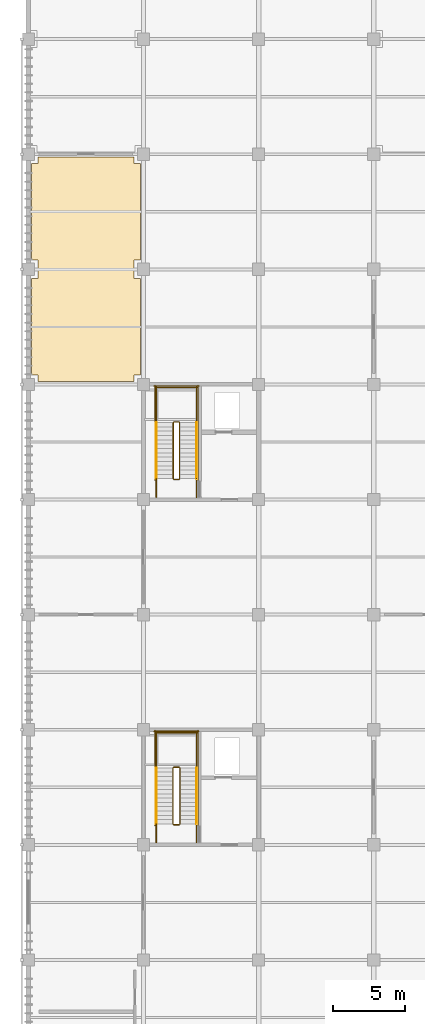
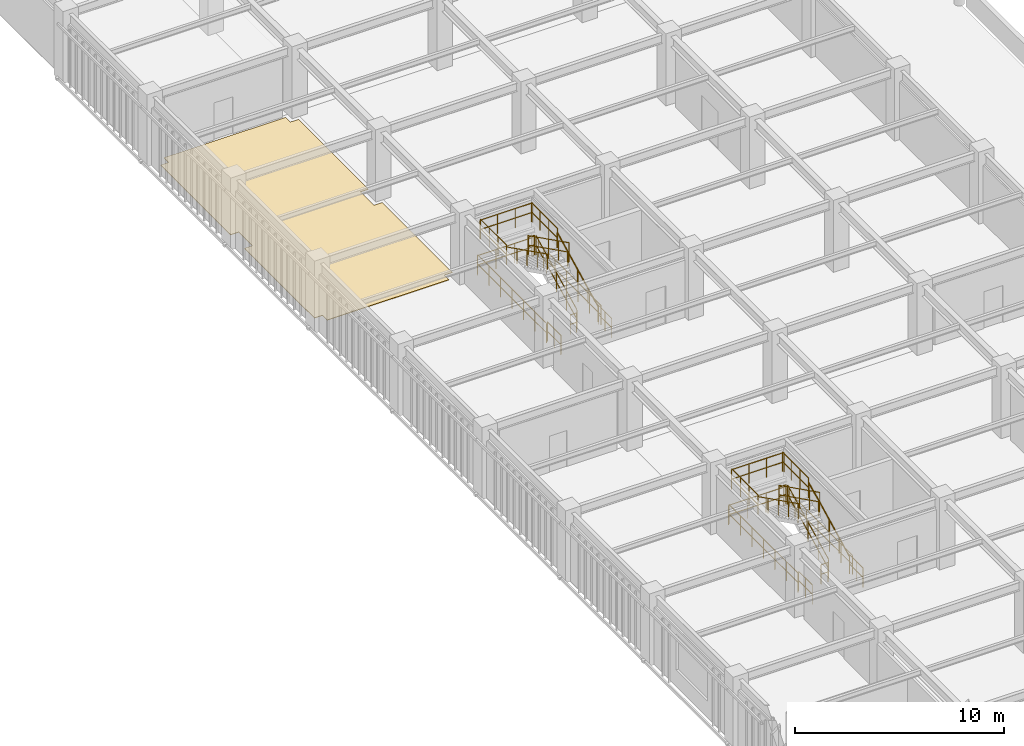
# One storey, part 75 of 78: 28 railings, 1 covering.
"""IFC4 building model written with IfcOpenShell, lengths in metres."""

from ifc_helpers import new_model, si_unit, direction, frame, origin, origin_2d, place, context, subcontext, project, spatial, polyline, circle, outline, extrude, material, layer, layer_set, type_object, element, save


model = new_model("IFC4")

# Units and contexts
model_context = context("Model", 3, precision=1e-05, world=origin(), true_north=direction((0.0, 1.0)))
body_context = subcontext(model_context, "Body", "Model", "MODEL_VIEW")
ifc_project = project(units=[si_unit("LENGTHUNIT", "METRE"), si_unit("AREAUNIT", "SQUARE_METRE"), si_unit("VOLUMEUNIT", "CUBIC_METRE"), si_unit("PLANEANGLEUNIT", "RADIAN"), si_unit("MASSUNIT", "GRAM", prefix="KILO")], contexts=[model_context])

# Site, building, storey
site_placement = place(None, origin())
site = spatial("IfcSite", under=ifc_project, at=site_placement, CompositionType="ELEMENT")
building_placement = place(site_placement, origin())
building = spatial("IfcBuilding", under=site, at=building_placement, Name="Haebicheon Civic Stadium", CompositionType="ELEMENT")
storey_placement = place(building_placement, frame((0.0, 0.0, 18.60009765625)))
storey = spatial("IfcBuildingStorey", under=building, at=storey_placement, Name="L05", CompositionType="ELEMENT", Elevation=18.60009765625)

# Covering
ifc_material_1 = material(Name="Quartz epoxy resin mortar", Category="concrete")
ifc_layer = layer(ifc_material_1, 0.030029296875, Name="Quartz epoxy resin mortar")
ifc_layer_set = layer_set([ifc_layer], Name="Quartz epoxy resin mortar")
covering_type = type_object("IfcCoveringType", Name="COV-FLR-EPX", PredefinedType="FLOORING", material=ifc_layer_set)
covering_placement = place(storey_placement, origin())
element("IfcCovering", 1, at=covering_placement, inside=storey, type_object=covering_type, material=ifc_layer_set, Name="L05 Upper Concourse Refreshment Kiosk non-slip floor finish", PredefinedType="FLOORING", context=body_context, shape_type="SweptSolid", body=[
    extrude(outline(polyline([(24.64990234375, 112.199951171875), (24.64990234375, 112.64990234375), (24.199951171875, 112.64990234375), (24.199951171875, 119.35009765625), (24.64990234375, 119.35009765625), (24.64990234375, 120.64990234375), (24.199951171875, 120.64990234375), (24.199951171875, 127.35009765625), (24.64990234375, 127.35009765625), (24.64990234375, 127.800048828125), (31.35009765625, 127.800048828125), (31.35009765625, 127.35009765625), (31.800048828125, 127.35009765625), (31.800048828125, 120.64990234375), (31.35009765625, 120.64990234375), (31.35009765625, 119.35009765625), (31.800048828125, 119.35009765625), (31.800048828125, 112.64990234375), (31.35009765625, 112.64990234375), (31.35009765625, 112.199951171875), (24.64990234375, 112.199951171875)])), origin(), (0.0, 0.0, 1.0), 0.02978515625),
])

# Railings
ifc_material_2 = material(Name="Galvanised painted steel SM355", Category="steel")
railing_type_1 = type_object("IfcRailingType", Name="RL-GRD-1150", PredefinedType="GUARDRAIL", material=ifc_material_2)
railing_1_placement = place(storey_placement, frame((34.530029296875, 81.449951171875, 0.14990234375)))
element("IfcRailing", 2, at=railing_1_placement, inside=storey, type_object=railing_type_1, material=ifc_material_2, Name="L05 ST-03 stair guard 1", PredefinedType="GUARDRAIL", context=body_context, shape_type="SweptSolid", body=[
    extrude(circle(Radius=0.02392578125, at=origin_2d()), frame((0.0, 0.0, 1.1259765625), z_axis=(0.0, 0.894438388696, 0.447191199406), x_axis=(-1.0, 0.0, 0.0)), (0.0, 0.0, 1.0), 4.3603515625),
    extrude(circle(Radius=0.02392578125, at=origin_2d()), frame((0.0, 0.0, 0.574951171875), z_axis=(0.0, 0.894438388696, 0.447191199406), x_axis=(-1.0, 0.0, 0.0)), (0.0, 0.0, 1.0), 4.3603515625),
    extrude(circle(Radius=0.02099609375, at=origin_2d()), origin(), (0.0, 0.0, 1.0), 1.101806640625),
    extrude(circle(Radius=0.02099609375, at=origin_2d()), frame((0.0, 0.97509765625, 0.487548828125)), (0.0, 0.0, 1.0), 1.101806640625),
    extrude(circle(Radius=0.02099609375, at=origin_2d()), frame((0.0, 1.9501953125, 0.97509765625)), (0.0, 0.0, 1.0), 1.101806640625),
    extrude(circle(Radius=0.02099609375, at=origin_2d()), frame((0.0, 2.925048828125, 1.46240234375)), (0.0, 0.0, 1.0), 1.101806640625),
    extrude(circle(Radius=0.02099609375, at=origin_2d()), frame((0.0, 3.900146484375, 1.949951171875)), (0.0, 0.0, 1.0), 1.101806640625),
])
railing_2_placement = place(storey_placement, frame((34.47998046875, 85.39990234375, 2.099853515625)))
element("IfcRailing", 3, at=railing_2_placement, inside=storey, type_object=railing_type_1, material=ifc_material_2, Name="L05 ST-03 stair guard 2", PredefinedType="GUARDRAIL", context=body_context, shape_type="SweptSolid", body=[
    extrude(circle(Radius=0.02392578125, at=origin_2d()), frame((0.0, 0.0, 1.1259765625), z_axis=(-1.0, 0.0, 0.0), x_axis=(0.0, -1.0, 0.0)), (0.0, 0.0, 1.0), 0.3798828125),
    extrude(circle(Radius=0.02392578125, at=origin_2d()), frame((0.0, 0.0, 0.574951171875), z_axis=(-1.0, 0.0, 0.0), x_axis=(0.0, -1.0, 0.0)), (0.0, 0.0, 1.0), 0.3798828125),
    extrude(circle(Radius=0.02099609375, at=origin_2d()), origin(), (0.0, 0.0, 1.0), 1.101806640625),
    extrude(circle(Radius=0.02099609375, at=origin_2d()), frame((-0.3798828125, 0.0, 0.0)), (0.0, 0.0, 1.0), 1.101806640625),
])
for number, where, name in (
    (4, (35.68994140625, 85.35009765625, 2.099853515625), "L05 ST-03 stair guard 3"),
    (5, (32.889892578125, 85.35009765625, 2.099853515625), "L05 ST-03 stair guard 4"),
):
    element("IfcRailing", number, at=place(storey_placement, frame(where)), inside=storey, type_object=railing_type_1, material=ifc_material_2, Name=name, PredefinedType="GUARDRAIL", context=body_context, shape_type="SweptSolid", body=[
        extrude(circle(Radius=0.02392578125, at=origin_2d()), frame((0.0, 0.0, 1.1259765625), z_axis=(0.0, 1.0, 0.0), x_axis=(-1.0, 0.0, 0.0)), (0.0, 0.0, 1.0), 2.489990234375),
        extrude(circle(Radius=0.02392578125, at=origin_2d()), frame((0.0, 0.0, 0.574951171875), z_axis=(0.0, 1.0, 0.0), x_axis=(-1.0, 0.0, 0.0)), (0.0, 0.0, 1.0), 2.489990234375),
        extrude(circle(Radius=0.02099609375, at=origin_2d()), origin(), (0.0, 0.0, 1.0), 1.101806640625),
        extrude(circle(Radius=0.02099609375, at=origin_2d()), frame((0.0, 0.830078125, 0.0)), (0.0, 0.0, 1.0), 1.101806640625),
        extrude(circle(Radius=0.02099609375, at=origin_2d()), frame((0.0, 1.659912109375, 0.0)), (0.0, 0.0, 1.0), 1.101806640625),
        extrude(circle(Radius=0.02099609375, at=origin_2d()), frame((0.0, 2.489990234375, 0.0)), (0.0, 0.0, 1.0), 1.101806640625),
    ])
railing_3_placement = place(storey_placement, frame((35.739990234375, 87.7900390625, 2.099853515625)))
element("IfcRailing", 6, at=railing_3_placement, inside=storey, type_object=railing_type_1, material=ifc_material_2, Name="L05 ST-03 stair guard 5", PredefinedType="GUARDRAIL", context=body_context, shape_type="SweptSolid", body=[
    extrude(circle(Radius=0.02392578125, at=origin_2d()), frame((0.0, 0.0, 1.1259765625), z_axis=(-1.0, 0.0, 0.0), x_axis=(0.0, -1.0, 0.0)), (0.0, 0.0, 1.0), 2.89990234375),
    extrude(circle(Radius=0.02392578125, at=origin_2d()), frame((0.0, 0.0, 0.574951171875), z_axis=(-1.0, 0.0, 0.0), x_axis=(0.0, -1.0, 0.0)), (0.0, 0.0, 1.0), 2.89990234375),
    extrude(circle(Radius=0.02099609375, at=origin_2d()), origin(), (0.0, 0.0, 1.0), 1.101806640625),
    extrude(circle(Radius=0.02099609375, at=origin_2d()), frame((-0.966552734375, 0.0, 0.0)), (0.0, 0.0, 1.0), 1.101806640625),
    extrude(circle(Radius=0.02099609375, at=origin_2d()), frame((-1.933349609375, 0.0, 0.0)), (0.0, 0.0, 1.0), 1.101806640625),
    extrude(circle(Radius=0.02099609375, at=origin_2d()), frame((-2.89990234375, 0.0, 0.0)), (0.0, 0.0, 1.0), 1.101806640625),
])
railing_4_placement = place(storey_placement, frame((34.050048828125, 85.35009765625, 2.25)))
element("IfcRailing", 7, at=railing_4_placement, inside=storey, type_object=railing_type_1, material=ifc_material_2, Name="L05 ST-03 stair guard 6", PredefinedType="GUARDRAIL", context=body_context, shape_type="SweptSolid", body=[
    extrude(circle(Radius=0.02392578125, at=origin_2d()), frame((0.0, 0.0, 1.1259765625), z_axis=(0.0, -0.894438388696, 0.447191199406), x_axis=(1.0, 0.0, 0.0)), (0.0, 0.0, 1.0), 4.3603515625),
    extrude(circle(Radius=0.02392578125, at=origin_2d()), frame((0.0, 0.0, 0.574951171875), z_axis=(0.0, -0.894438388696, 0.447191199406), x_axis=(1.0, 0.0, 0.0)), (0.0, 0.0, 1.0), 4.3603515625),
    extrude(circle(Radius=0.02099609375, at=origin_2d()), origin(), (0.0, 0.0, 1.0), 1.101806640625),
    extrude(circle(Radius=0.02099609375, at=origin_2d()), frame((0.0, -0.97509765625, 0.487548828125)), (0.0, 0.0, 1.0), 1.101806640625),
    extrude(circle(Radius=0.02099609375, at=origin_2d()), frame((0.0, -1.9501953125, 0.97509765625)), (0.0, 0.0, 1.0), 1.101806640625),
    extrude(circle(Radius=0.02099609375, at=origin_2d()), frame((0.0, -2.925048828125, 1.46240234375)), (0.0, 0.0, 1.0), 1.101806640625),
    extrude(circle(Radius=0.02099609375, at=origin_2d()), frame((0.0, -3.900146484375, 1.949951171875)), (0.0, 0.0, 1.0), 1.101806640625),
])
railing_5_placement = place(storey_placement, frame((34.47998046875, 81.39990234375, 0.0)))
element("IfcRailing", 8, at=railing_5_placement, inside=storey, type_object=railing_type_1, material=ifc_material_2, Name="L05 ST-03 stair guard 7", PredefinedType="GUARDRAIL", context=body_context, shape_type="SweptSolid", body=[
    extrude(circle(Radius=0.02392578125, at=origin_2d()), frame((0.0, 0.0, 1.1259765625), z_axis=(-1.0, 0.0, 0.0), x_axis=(0.0, -1.0, 0.0)), (0.0, 0.0, 1.0), 0.3798828125),
    extrude(circle(Radius=0.02392578125, at=origin_2d()), frame((0.0, 0.0, 0.574951171875), z_axis=(-1.0, 0.0, 0.0), x_axis=(0.0, -1.0, 0.0)), (0.0, 0.0, 1.0), 0.3798828125),
    extrude(circle(Radius=0.02099609375, at=origin_2d()), origin(), (0.0, 0.0, 1.0), 1.101806640625),
    extrude(circle(Radius=0.02099609375, at=origin_2d()), frame((-0.3798828125, 0.0, 0.0)), (0.0, 0.0, 1.0), 1.101806640625),
])
for number, where, name in (
    (9, (35.68994140625, 80.159912109375, 0.0), "L05 ST-03 stair guard 8"),
    (10, (32.889892578125, 80.159912109375, 0.0), "L05 ST-03 stair guard 9"),
):
    element("IfcRailing", number, at=place(storey_placement, frame(where)), inside=storey, type_object=railing_type_1, material=ifc_material_2, Name=name, PredefinedType="GUARDRAIL", context=body_context, shape_type="SweptSolid", body=[
        extrude(circle(Radius=0.02392578125, at=origin_2d()), frame((0.0, 0.0, 1.1259765625), z_axis=(0.0, 1.0, 0.0), x_axis=(-1.0, 0.0, 0.0)), (0.0, 0.0, 1.0), 1.2900390625),
        extrude(circle(Radius=0.02392578125, at=origin_2d()), frame((0.0, 0.0, 0.574951171875), z_axis=(0.0, 1.0, 0.0), x_axis=(-1.0, 0.0, 0.0)), (0.0, 0.0, 1.0), 1.2900390625),
        extrude(circle(Radius=0.02099609375, at=origin_2d()), origin(), (0.0, 0.0, 1.0), 1.101806640625),
        extrude(circle(Radius=0.02099609375, at=origin_2d()), frame((0.0, 0.64501953125, 0.0)), (0.0, 0.0, 1.0), 1.101806640625),
        extrude(circle(Radius=0.02099609375, at=origin_2d()), frame((0.0, 1.2900390625, 0.0)), (0.0, 0.0, 1.0), 1.101806640625),
    ])
for number, where, name in (
    (11, (35.7900390625, 81.35009765625, 0.0), "L05 ST-03 stair guard 10"),
    (12, (32.7900390625, 81.35009765625, 0.0), "L05 ST-03 stair guard 11"),
):
    element("IfcRailing", number, at=place(storey_placement, frame(where)), inside=storey, type_object=railing_type_1, material=ifc_material_2, Name=name, PredefinedType="GUARDRAIL", context=body_context, shape_type="SweptSolid", body=[
        extrude(circle(Radius=0.02392578125, at=origin_2d()), frame((0.0, 0.0, 1.1259765625), z_axis=(0.0, 1.0, 0.0), x_axis=(-1.0, 0.0, 0.0)), (0.0, 0.0, 1.0), 6.58984375),
        extrude(circle(Radius=0.02392578125, at=origin_2d()), frame((0.0, 0.0, 0.574951171875), z_axis=(0.0, 1.0, 0.0), x_axis=(-1.0, 0.0, 0.0)), (0.0, 0.0, 1.0), 6.58984375),
        extrude(circle(Radius=0.02099609375, at=origin_2d()), origin(), (0.0, 0.0, 1.0), 1.101806640625),
        extrude(circle(Radius=0.02099609375, at=origin_2d()), frame((0.0, 1.098388671875, 0.0)), (0.0, 0.0, 1.0), 1.101806640625),
        extrude(circle(Radius=0.02099609375, at=origin_2d()), frame((0.0, 2.196533203125, 0.0)), (0.0, 0.0, 1.0), 1.101806640625),
        extrude(circle(Radius=0.02099609375, at=origin_2d()), frame((0.0, 3.294921875, 0.0)), (0.0, 0.0, 1.0), 1.101806640625),
        extrude(circle(Radius=0.02099609375, at=origin_2d()), frame((0.0, 4.393310546875, 0.0)), (0.0, 0.0, 1.0), 1.101806640625),
        extrude(circle(Radius=0.02099609375, at=origin_2d()), frame((0.0, 5.491455078125, 0.0)), (0.0, 0.0, 1.0), 1.101806640625),
        extrude(circle(Radius=0.02099609375, at=origin_2d()), frame((0.0, 6.58984375, 0.0)), (0.0, 0.0, 1.0), 1.101806640625),
    ])
railing_6_placement = place(storey_placement, frame((35.840087890625, 87.889892578125, 0.0)))
element("IfcRailing", 13, at=railing_6_placement, inside=storey, type_object=railing_type_1, material=ifc_material_2, Name="L05 ST-03 stair guard 12", PredefinedType="GUARDRAIL", context=body_context, shape_type="SweptSolid", body=[
    extrude(circle(Radius=0.02392578125, at=origin_2d()), frame((0.0, 0.0, 1.1259765625), z_axis=(-1.0, 0.0, 0.0), x_axis=(0.0, -1.0, 0.0)), (0.0, 0.0, 1.0), 3.10009765625),
    extrude(circle(Radius=0.02392578125, at=origin_2d()), frame((0.0, 0.0, 0.574951171875), z_axis=(-1.0, 0.0, 0.0), x_axis=(0.0, -1.0, 0.0)), (0.0, 0.0, 1.0), 3.10009765625),
    extrude(circle(Radius=0.02099609375, at=origin_2d()), origin(), (0.0, 0.0, 1.0), 1.101806640625),
    extrude(circle(Radius=0.02099609375, at=origin_2d()), frame((-1.033447265625, 0.0, 0.0)), (0.0, 0.0, 1.0), 1.101806640625),
    extrude(circle(Radius=0.02099609375, at=origin_2d()), frame((-2.066650390625, 0.0, 0.0)), (0.0, 0.0, 1.0), 1.101806640625),
    extrude(circle(Radius=0.02099609375, at=origin_2d()), frame((-3.10009765625, 0.0, 0.0)), (0.0, 0.0, 1.0), 1.101806640625),
])
railing_7_placement = place(storey_placement, frame((34.510009765625, 105.449951171875, 0.14990234375)))
element("IfcRailing", 14, at=railing_7_placement, inside=storey, type_object=railing_type_1, material=ifc_material_2, Name="L05 ST-04 stair guard 1", PredefinedType="GUARDRAIL", context=body_context, shape_type="SweptSolid", body=[
    extrude(circle(Radius=0.02392578125, at=origin_2d()), frame((0.0, 0.0, 1.1259765625), z_axis=(0.0, 0.894438388696, 0.447191199406), x_axis=(-1.0, 0.0, 0.0)), (0.0, 0.0, 1.0), 4.3603515625),
    extrude(circle(Radius=0.02392578125, at=origin_2d()), frame((0.0, 0.0, 0.574951171875), z_axis=(0.0, 0.894438388696, 0.447191199406), x_axis=(-1.0, 0.0, 0.0)), (0.0, 0.0, 1.0), 4.3603515625),
    extrude(circle(Radius=0.02099609375, at=origin_2d()), origin(), (0.0, 0.0, 1.0), 1.101806640625),
    extrude(circle(Radius=0.02099609375, at=origin_2d()), frame((0.0, 0.97509765625, 0.487548828125)), (0.0, 0.0, 1.0), 1.101806640625),
    extrude(circle(Radius=0.02099609375, at=origin_2d()), frame((0.0, 1.9501953125, 0.97509765625)), (0.0, 0.0, 1.0), 1.101806640625),
    extrude(circle(Radius=0.02099609375, at=origin_2d()), frame((0.0, 2.925048828125, 1.46240234375)), (0.0, 0.0, 1.0), 1.101806640625),
    extrude(circle(Radius=0.02099609375, at=origin_2d()), frame((0.0, 3.900146484375, 1.949951171875)), (0.0, 0.0, 1.0), 1.101806640625),
])
railing_8_placement = place(storey_placement, frame((34.4599609375, 109.39990234375, 2.099853515625)))
element("IfcRailing", 15, at=railing_8_placement, inside=storey, type_object=railing_type_1, material=ifc_material_2, Name="L05 ST-04 stair guard 2", PredefinedType="GUARDRAIL", context=body_context, shape_type="SweptSolid", body=[
    extrude(circle(Radius=0.02392578125, at=origin_2d()), frame((0.0, 0.0, 1.1259765625), z_axis=(-1.0, 0.0, 0.0), x_axis=(0.0, -1.0, 0.0)), (0.0, 0.0, 1.0), 0.33984375),
    extrude(circle(Radius=0.02392578125, at=origin_2d()), frame((0.0, 0.0, 0.574951171875), z_axis=(-1.0, 0.0, 0.0), x_axis=(0.0, -1.0, 0.0)), (0.0, 0.0, 1.0), 0.33984375),
    extrude(circle(Radius=0.02099609375, at=origin_2d()), origin(), (0.0, 0.0, 1.0), 1.101806640625),
    extrude(circle(Radius=0.02099609375, at=origin_2d()), frame((-0.33984375, 0.0, 0.0)), (0.0, 0.0, 1.0), 1.101806640625),
])
for number, where, name in (
    (16, (35.68994140625, 109.35009765625, 2.099853515625), "L05 ST-04 stair guard 3"),
    (17, (32.889892578125, 109.35009765625, 2.099853515625), "L05 ST-04 stair guard 4"),
):
    element("IfcRailing", number, at=place(storey_placement, frame(where)), inside=storey, type_object=railing_type_1, material=ifc_material_2, Name=name, PredefinedType="GUARDRAIL", context=body_context, shape_type="SweptSolid", body=[
        extrude(circle(Radius=0.02392578125, at=origin_2d()), frame((0.0, 0.0, 1.1259765625), z_axis=(0.0, 1.0, 0.0), x_axis=(-1.0, 0.0, 0.0)), (0.0, 0.0, 1.0), 2.489990234375),
        extrude(circle(Radius=0.02392578125, at=origin_2d()), frame((0.0, 0.0, 0.574951171875), z_axis=(0.0, 1.0, 0.0), x_axis=(-1.0, 0.0, 0.0)), (0.0, 0.0, 1.0), 2.489990234375),
        extrude(circle(Radius=0.02099609375, at=origin_2d()), origin(), (0.0, 0.0, 1.0), 1.101806640625),
        extrude(circle(Radius=0.02099609375, at=origin_2d()), frame((0.0, 0.830078125, 0.0)), (0.0, 0.0, 1.0), 1.101806640625),
        extrude(circle(Radius=0.02099609375, at=origin_2d()), frame((0.0, 1.659912109375, 0.0)), (0.0, 0.0, 1.0), 1.101806640625),
        extrude(circle(Radius=0.02099609375, at=origin_2d()), frame((0.0, 2.489990234375, 0.0)), (0.0, 0.0, 1.0), 1.101806640625),
    ])
railing_9_placement = place(storey_placement, frame((35.739990234375, 111.7900390625, 2.099853515625)))
element("IfcRailing", 18, at=railing_9_placement, inside=storey, type_object=railing_type_1, material=ifc_material_2, Name="L05 ST-04 stair guard 5", PredefinedType="GUARDRAIL", context=body_context, shape_type="SweptSolid", body=[
    extrude(circle(Radius=0.02392578125, at=origin_2d()), frame((0.0, 0.0, 1.1259765625), z_axis=(-1.0, 0.0, 0.0), x_axis=(0.0, -1.0, 0.0)), (0.0, 0.0, 1.0), 2.89990234375),
    extrude(circle(Radius=0.02392578125, at=origin_2d()), frame((0.0, 0.0, 0.574951171875), z_axis=(-1.0, 0.0, 0.0), x_axis=(0.0, -1.0, 0.0)), (0.0, 0.0, 1.0), 2.89990234375),
    extrude(circle(Radius=0.02099609375, at=origin_2d()), origin(), (0.0, 0.0, 1.0), 1.101806640625),
    extrude(circle(Radius=0.02099609375, at=origin_2d()), frame((-0.966552734375, 0.0, 0.0)), (0.0, 0.0, 1.0), 1.101806640625),
    extrude(circle(Radius=0.02099609375, at=origin_2d()), frame((-1.933349609375, 0.0, 0.0)), (0.0, 0.0, 1.0), 1.101806640625),
    extrude(circle(Radius=0.02099609375, at=origin_2d()), frame((-2.89990234375, 0.0, 0.0)), (0.0, 0.0, 1.0), 1.101806640625),
])
railing_10_placement = place(storey_placement, frame((34.070068359375, 109.35009765625, 2.25)))
element("IfcRailing", 19, at=railing_10_placement, inside=storey, type_object=railing_type_1, material=ifc_material_2, Name="L05 ST-04 stair guard 6", PredefinedType="GUARDRAIL", context=body_context, shape_type="SweptSolid", body=[
    extrude(circle(Radius=0.02392578125, at=origin_2d()), frame((0.0, 0.0, 1.1259765625), z_axis=(0.0, -0.894438388696, 0.447191199406), x_axis=(1.0, 0.0, 0.0)), (0.0, 0.0, 1.0), 4.3603515625),
    extrude(circle(Radius=0.02392578125, at=origin_2d()), frame((0.0, 0.0, 0.574951171875), z_axis=(0.0, -0.894438388696, 0.447191199406), x_axis=(1.0, 0.0, 0.0)), (0.0, 0.0, 1.0), 4.3603515625),
    extrude(circle(Radius=0.02099609375, at=origin_2d()), origin(), (0.0, 0.0, 1.0), 1.101806640625),
    extrude(circle(Radius=0.02099609375, at=origin_2d()), frame((0.0, -0.97509765625, 0.487548828125)), (0.0, 0.0, 1.0), 1.101806640625),
    extrude(circle(Radius=0.02099609375, at=origin_2d()), frame((0.0, -1.9501953125, 0.97509765625)), (0.0, 0.0, 1.0), 1.101806640625),
    extrude(circle(Radius=0.02099609375, at=origin_2d()), frame((0.0, -2.925048828125, 1.46240234375)), (0.0, 0.0, 1.0), 1.101806640625),
    extrude(circle(Radius=0.02099609375, at=origin_2d()), frame((0.0, -3.900146484375, 1.949951171875)), (0.0, 0.0, 1.0), 1.101806640625),
])
railing_11_placement = place(storey_placement, frame((34.4599609375, 105.39990234375, 0.0)))
element("IfcRailing", 20, at=railing_11_placement, inside=storey, type_object=railing_type_1, material=ifc_material_2, Name="L05 ST-04 stair guard 7", PredefinedType="GUARDRAIL", context=body_context, shape_type="SweptSolid", body=[
    extrude(circle(Radius=0.02392578125, at=origin_2d()), frame((0.0, 0.0, 1.1259765625), z_axis=(-1.0, 0.0, 0.0), x_axis=(0.0, -1.0, 0.0)), (0.0, 0.0, 1.0), 0.33984375),
    extrude(circle(Radius=0.02392578125, at=origin_2d()), frame((0.0, 0.0, 0.574951171875), z_axis=(-1.0, 0.0, 0.0), x_axis=(0.0, -1.0, 0.0)), (0.0, 0.0, 1.0), 0.33984375),
    extrude(circle(Radius=0.02099609375, at=origin_2d()), origin(), (0.0, 0.0, 1.0), 1.101806640625),
    extrude(circle(Radius=0.02099609375, at=origin_2d()), frame((-0.33984375, 0.0, 0.0)), (0.0, 0.0, 1.0), 1.101806640625),
])
for number, where, name in (
    (21, (35.68994140625, 104.159912109375, 0.0), "L05 ST-04 stair guard 8"),
    (22, (32.889892578125, 104.159912109375, 0.0), "L05 ST-04 stair guard 9"),
):
    element("IfcRailing", number, at=place(storey_placement, frame(where)), inside=storey, type_object=railing_type_1, material=ifc_material_2, Name=name, PredefinedType="GUARDRAIL", context=body_context, shape_type="SweptSolid", body=[
        extrude(circle(Radius=0.02392578125, at=origin_2d()), frame((0.0, 0.0, 1.1259765625), z_axis=(0.0, 1.0, 0.0), x_axis=(-1.0, 0.0, 0.0)), (0.0, 0.0, 1.0), 1.2900390625),
        extrude(circle(Radius=0.02392578125, at=origin_2d()), frame((0.0, 0.0, 0.574951171875), z_axis=(0.0, 1.0, 0.0), x_axis=(-1.0, 0.0, 0.0)), (0.0, 0.0, 1.0), 1.2900390625),
        extrude(circle(Radius=0.02099609375, at=origin_2d()), origin(), (0.0, 0.0, 1.0), 1.101806640625),
        extrude(circle(Radius=0.02099609375, at=origin_2d()), frame((0.0, 0.64501953125, 0.0)), (0.0, 0.0, 1.0), 1.101806640625),
        extrude(circle(Radius=0.02099609375, at=origin_2d()), frame((0.0, 1.2900390625, 0.0)), (0.0, 0.0, 1.0), 1.101806640625),
    ])
for number, where, name in (
    (23, (35.7900390625, 105.35009765625, 0.0), "L05 ST-04 stair guard 10"),
    (24, (32.7900390625, 105.35009765625, 0.0), "L05 ST-04 stair guard 11"),
):
    element("IfcRailing", number, at=place(storey_placement, frame(where)), inside=storey, type_object=railing_type_1, material=ifc_material_2, Name=name, PredefinedType="GUARDRAIL", context=body_context, shape_type="SweptSolid", body=[
        extrude(circle(Radius=0.02392578125, at=origin_2d()), frame((0.0, 0.0, 1.1259765625), z_axis=(0.0, 1.0, 0.0), x_axis=(-1.0, 0.0, 0.0)), (0.0, 0.0, 1.0), 6.58984375),
        extrude(circle(Radius=0.02392578125, at=origin_2d()), frame((0.0, 0.0, 0.574951171875), z_axis=(0.0, 1.0, 0.0), x_axis=(-1.0, 0.0, 0.0)), (0.0, 0.0, 1.0), 6.58984375),
        extrude(circle(Radius=0.02099609375, at=origin_2d()), origin(), (0.0, 0.0, 1.0), 1.101806640625),
        extrude(circle(Radius=0.02099609375, at=origin_2d()), frame((0.0, 1.098388671875, 0.0)), (0.0, 0.0, 1.0), 1.101806640625),
        extrude(circle(Radius=0.02099609375, at=origin_2d()), frame((0.0, 2.196533203125, 0.0)), (0.0, 0.0, 1.0), 1.101806640625),
        extrude(circle(Radius=0.02099609375, at=origin_2d()), frame((0.0, 3.294921875, 0.0)), (0.0, 0.0, 1.0), 1.101806640625),
        extrude(circle(Radius=0.02099609375, at=origin_2d()), frame((0.0, 4.393310546875, 0.0)), (0.0, 0.0, 1.0), 1.101806640625),
        extrude(circle(Radius=0.02099609375, at=origin_2d()), frame((0.0, 5.491455078125, 0.0)), (0.0, 0.0, 1.0), 1.101806640625),
        extrude(circle(Radius=0.02099609375, at=origin_2d()), frame((0.0, 6.58984375, 0.0)), (0.0, 0.0, 1.0), 1.101806640625),
    ])
railing_12_placement = place(storey_placement, frame((35.840087890625, 111.889892578125, 0.0)))
element("IfcRailing", 25, at=railing_12_placement, inside=storey, type_object=railing_type_1, material=ifc_material_2, Name="L05 ST-04 stair guard 12", PredefinedType="GUARDRAIL", context=body_context, shape_type="SweptSolid", body=[
    extrude(circle(Radius=0.02392578125, at=origin_2d()), frame((0.0, 0.0, 1.1259765625), z_axis=(-1.0, 0.0, 0.0), x_axis=(0.0, -1.0, 0.0)), (0.0, 0.0, 1.0), 3.10009765625),
    extrude(circle(Radius=0.02392578125, at=origin_2d()), frame((0.0, 0.0, 0.574951171875), z_axis=(-1.0, 0.0, 0.0), x_axis=(0.0, -1.0, 0.0)), (0.0, 0.0, 1.0), 3.10009765625),
    extrude(circle(Radius=0.02099609375, at=origin_2d()), origin(), (0.0, 0.0, 1.0), 1.101806640625),
    extrude(circle(Radius=0.02099609375, at=origin_2d()), frame((-1.033447265625, 0.0, 0.0)), (0.0, 0.0, 1.0), 1.101806640625),
    extrude(circle(Radius=0.02099609375, at=origin_2d()), frame((-2.066650390625, 0.0, 0.0)), (0.0, 0.0, 1.0), 1.101806640625),
    extrude(circle(Radius=0.02099609375, at=origin_2d()), frame((-3.10009765625, 0.0, 0.0)), (0.0, 0.0, 1.0), 1.101806640625),
])
ifc_material_3 = material(Name="Stainless steel 316", Category="steel")
railing_type_2 = type_object("IfcRailingType", Name="RL-HND-900", PredefinedType="HANDRAIL", material=ifc_material_3)
railing_13_placement = place(storey_placement, frame((35.68994140625, 81.449951171875, 0.14990234375)))
element("IfcRailing", 26, at=railing_13_placement, inside=storey, type_object=railing_type_2, material=ifc_material_3, Name="L05 ST-03 stair handrail 1", PredefinedType="HANDRAIL", context=body_context, shape_type="SweptSolid", body=[
    extrude(circle(Radius=0.02392578125, at=origin_2d()), frame((0.0, 0.0, 0.8759765625), z_axis=(0.0, 0.894438388696, 0.447191199406), x_axis=(-1.0, 0.0, 0.0)), (0.0, 0.0, 1.0), 4.3603515625),
    extrude(circle(Radius=0.02099609375, at=origin_2d()), origin(), (0.0, 0.0, 1.0), 0.851806640625),
    extrude(circle(Radius=0.02099609375, at=origin_2d()), frame((0.0, 0.97509765625, 0.487548828125)), (0.0, 0.0, 1.0), 0.851806640625),
    extrude(circle(Radius=0.02099609375, at=origin_2d()), frame((0.0, 1.9501953125, 0.97509765625)), (0.0, 0.0, 1.0), 0.851806640625),
    extrude(circle(Radius=0.02099609375, at=origin_2d()), frame((0.0, 2.925048828125, 1.46240234375)), (0.0, 0.0, 1.0), 0.851806640625),
    extrude(circle(Radius=0.02099609375, at=origin_2d()), frame((0.0, 3.900146484375, 1.949951171875)), (0.0, 0.0, 1.0), 0.851806640625),
])
railing_14_placement = place(storey_placement, frame((32.889892578125, 85.35009765625, 2.25)))
element("IfcRailing", 27, at=railing_14_placement, inside=storey, type_object=railing_type_2, material=ifc_material_3, Name="L05 ST-03 stair handrail 2", PredefinedType="HANDRAIL", context=body_context, shape_type="SweptSolid", body=[
    extrude(circle(Radius=0.02392578125, at=origin_2d()), frame((0.0, 0.0, 0.8759765625), z_axis=(0.0, -0.894438388696, 0.447191199406), x_axis=(1.0, 0.0, 0.0)), (0.0, 0.0, 1.0), 4.3603515625),
    extrude(circle(Radius=0.02099609375, at=origin_2d()), origin(), (0.0, 0.0, 1.0), 0.851806640625),
    extrude(circle(Radius=0.02099609375, at=origin_2d()), frame((0.0, -0.97509765625, 0.487548828125)), (0.0, 0.0, 1.0), 0.851806640625),
    extrude(circle(Radius=0.02099609375, at=origin_2d()), frame((0.0, -1.9501953125, 0.97509765625)), (0.0, 0.0, 1.0), 0.851806640625),
    extrude(circle(Radius=0.02099609375, at=origin_2d()), frame((0.0, -2.925048828125, 1.46240234375)), (0.0, 0.0, 1.0), 0.851806640625),
    extrude(circle(Radius=0.02099609375, at=origin_2d()), frame((0.0, -3.900146484375, 1.949951171875)), (0.0, 0.0, 1.0), 0.851806640625),
])
railing_15_placement = place(storey_placement, frame((35.68994140625, 105.449951171875, 0.14990234375)))
element("IfcRailing", 28, at=railing_15_placement, inside=storey, type_object=railing_type_2, material=ifc_material_3, Name="L05 ST-04 stair handrail 1", PredefinedType="HANDRAIL", context=body_context, shape_type="SweptSolid", body=[
    extrude(circle(Radius=0.02392578125, at=origin_2d()), frame((0.0, 0.0, 0.8759765625), z_axis=(0.0, 0.894438388696, 0.447191199406), x_axis=(-1.0, 0.0, 0.0)), (0.0, 0.0, 1.0), 4.3603515625),
    extrude(circle(Radius=0.02099609375, at=origin_2d()), origin(), (0.0, 0.0, 1.0), 0.851806640625),
    extrude(circle(Radius=0.02099609375, at=origin_2d()), frame((0.0, 0.97509765625, 0.487548828125)), (0.0, 0.0, 1.0), 0.851806640625),
    extrude(circle(Radius=0.02099609375, at=origin_2d()), frame((0.0, 1.9501953125, 0.97509765625)), (0.0, 0.0, 1.0), 0.851806640625),
    extrude(circle(Radius=0.02099609375, at=origin_2d()), frame((0.0, 2.925048828125, 1.46240234375)), (0.0, 0.0, 1.0), 0.851806640625),
    extrude(circle(Radius=0.02099609375, at=origin_2d()), frame((0.0, 3.900146484375, 1.949951171875)), (0.0, 0.0, 1.0), 0.851806640625),
])
railing_16_placement = place(storey_placement, frame((32.889892578125, 109.35009765625, 2.25)))
element("IfcRailing", 29, at=railing_16_placement, inside=storey, type_object=railing_type_2, material=ifc_material_3, Name="L05 ST-04 stair handrail 2", PredefinedType="HANDRAIL", context=body_context, shape_type="SweptSolid", body=[
    extrude(circle(Radius=0.02392578125, at=origin_2d()), frame((0.0, 0.0, 0.8759765625), z_axis=(0.0, -0.894438388696, 0.447191199406), x_axis=(1.0, 0.0, 0.0)), (0.0, 0.0, 1.0), 4.3603515625),
    extrude(circle(Radius=0.02099609375, at=origin_2d()), origin(), (0.0, 0.0, 1.0), 0.851806640625),
    extrude(circle(Radius=0.02099609375, at=origin_2d()), frame((0.0, -0.97509765625, 0.487548828125)), (0.0, 0.0, 1.0), 0.851806640625),
    extrude(circle(Radius=0.02099609375, at=origin_2d()), frame((0.0, -1.9501953125, 0.97509765625)), (0.0, 0.0, 1.0), 0.851806640625),
    extrude(circle(Radius=0.02099609375, at=origin_2d()), frame((0.0, -2.925048828125, 1.46240234375)), (0.0, 0.0, 1.0), 0.851806640625),
    extrude(circle(Radius=0.02099609375, at=origin_2d()), frame((0.0, -3.900146484375, 1.949951171875)), (0.0, 0.0, 1.0), 0.851806640625),
])

save(model, "model.ifc")
